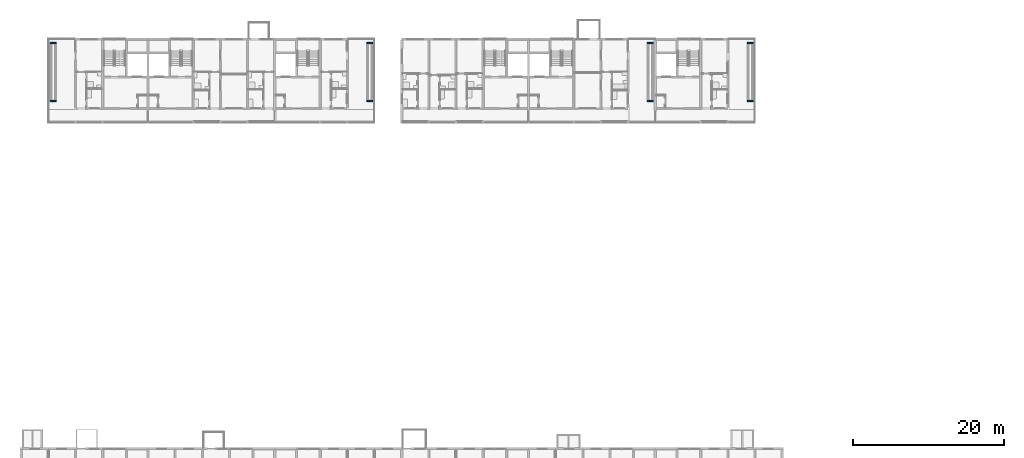
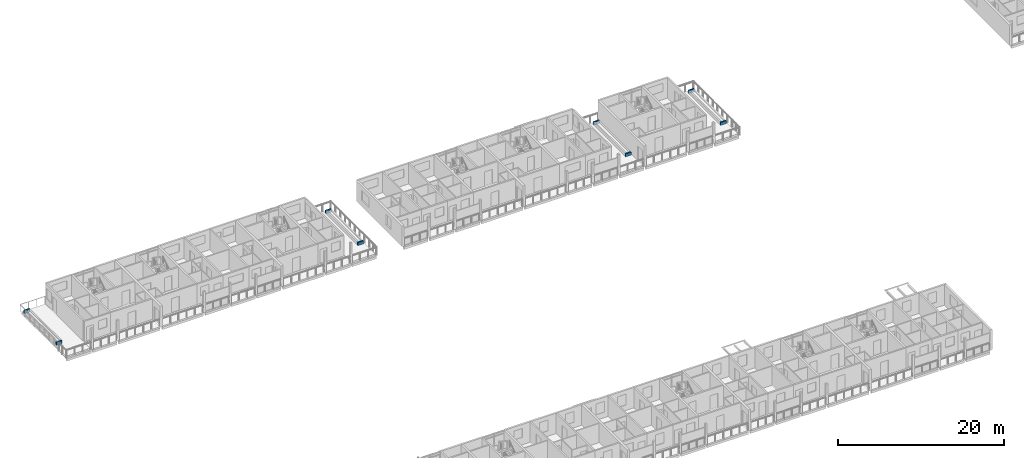
# One storey, part 58 of 94: 8 walls.
"""IFC4 building model written with IfcOpenShell, lengths in metres."""

from ifc_helpers import new_model, si_unit, direction, frame, frame_2d, origin, place, context, subcontext, project, spatial, rectangle, extrude, material, layer, layer_set, type_object, element, save


model = new_model("IFC4")

# Units and contexts
model_context = context("Model", 3, precision=1e-05, world=origin(), true_north=direction((0.0, 1.0)))
body_context = subcontext(model_context, "Body", "Model", "MODEL_VIEW")
ifc_project = project(units=[si_unit("LENGTHUNIT", "METRE"), si_unit("AREAUNIT", "SQUARE_METRE"), si_unit("VOLUMEUNIT", "CUBIC_METRE"), si_unit("PLANEANGLEUNIT", "RADIAN"), si_unit("MASSUNIT", "GRAM", prefix="KILO")], contexts=[model_context])

# Site, building, storey
site_placement = place(None, origin())
site = spatial("IfcSite", under=ifc_project, at=site_placement, CompositionType="ELEMENT")
building_placement = place(site_placement, origin())
building = spatial("IfcBuilding", under=site, at=building_placement, Name="Ridgestep Commons", CompositionType="ELEMENT")
storey_placement = place(building_placement, frame((0.0, 0.0, 21.0)))
storey = spatial("IfcBuildingStorey", under=building, at=storey_placement, Name="L07", CompositionType="ELEMENT", Elevation=21.0)

# Walls
ifc_material = material(Name="Facing brick", Category="masonry")
ifc_layer = layer(ifc_material, 0.199951171875)
ifc_layer_set = layer_set([ifc_layer], Name="Planter wall 200")
wall_type = type_object("IfcWallType", Name="Planter wall 200", PredefinedType="SOLIDWALL", material=ifc_layer_set)
for number, where, z_axis, x_axis, name in (
    (1, (15.85009765625, 68.89990234375, 0.010009765625), (0.0, 0.0, 1.0), (1.0, 0.0, 0.0), "Planter wall B1R2S"),
    (2, (15.85009765625, 76.60009765625, 0.010009765625), (0.0, 0.0, 1.0), (1.0, 0.0, 0.0), "Planter wall B1R2N"),
):
    element("IfcWall", number, at=place(storey_placement, frame(where, z_axis=z_axis, x_axis=x_axis)), inside=storey, type_object=wall_type, Name=name, PredefinedType="SOLIDWALL", context=body_context, shape_type="SweptSolid", body=[
        extrude(rectangle(XDim=0.7998046875, YDim=0.199951171875, at=frame_2d((0.39990234375, 0.0))), origin(), (0.0, 0.0, 1.0), 0.449951171875),
    ])
for number, where, z_axis, x_axis, name in (
    (3, (57.75, 68.89990234375, 0.010009765625), (0.0, 0.0, 1.0), (1.0, 0.0, 0.0), "Planter wall B3R2S"),
    (4, (57.75, 76.60009765625, 0.010009765625), (0.0, 0.0, 1.0), (1.0, 0.0, 0.0), "Planter wall B3R2N"),
    (5, (94.949951171875, 68.89990234375, 0.010009765625), (0.0, 0.0, 1.0), (1.0, 0.0, 0.0), "Planter wall B5R1S"),
    (6, (94.949951171875, 76.60009765625, 0.010009765625), (0.0, 0.0, 1.0), (1.0, 0.0, 0.0), "Planter wall B5R1N"),
    (7, (108.14990234375, 68.89990234375, 0.010009765625), (0.0, 0.0, 1.0), (1.0, 0.0, 0.0), "Planter wall B6R2S"),
    (8, (108.14990234375, 76.60009765625, 0.010009765625), (0.0, 0.0, 1.0), (1.0, 0.0, 0.0), "Planter wall B6R2N"),
):
    element("IfcWall", number, at=place(storey_placement, frame(where, z_axis=z_axis, x_axis=x_axis)), inside=storey, type_object=wall_type, Name=name, PredefinedType="SOLIDWALL", context=body_context, shape_type="SweptSolid", body=[
        extrude(rectangle(XDim=0.800048828125, YDim=0.199951171875, at=frame_2d((0.39990234375, 0.0))), origin(), (0.0, 0.0, 1.0), 0.449951171875),
    ])

save(model, "model.ifc")
